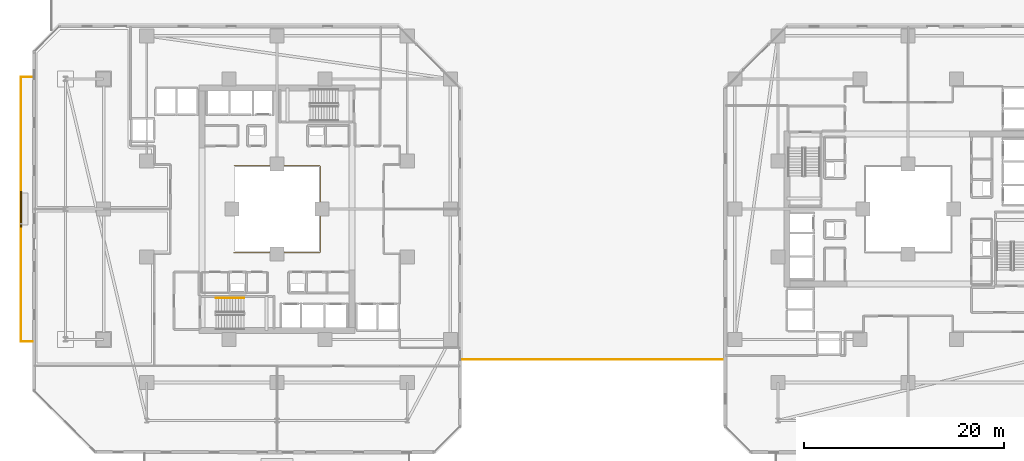
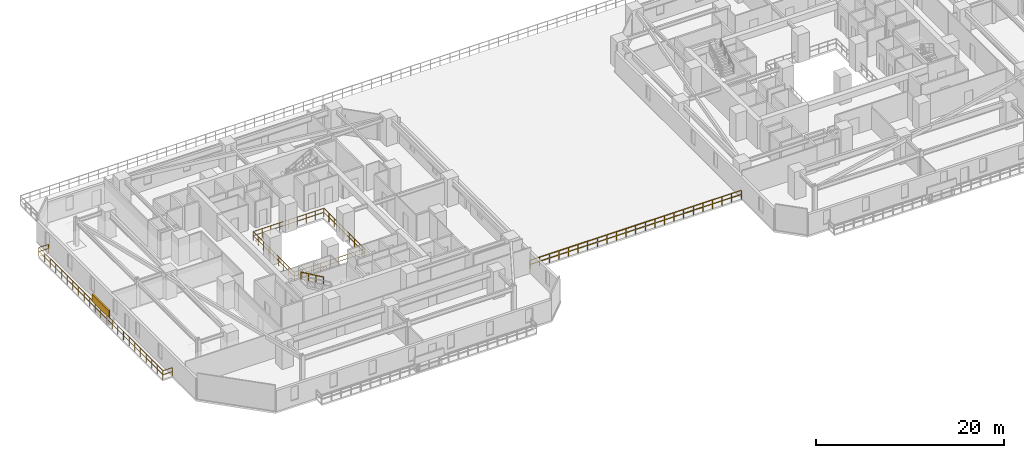
# One storey, part 30 of 34: 4 railings, 1 shading device.
"""IFC4 building model written with IfcOpenShell, lengths in metres."""

from ifc_helpers import new_model, si_unit, direction, frame, origin, origin_2d, place, context, subcontext, project, spatial, rectangle, extrude, material, type_object, element, save


model = new_model("IFC4")

# Units and contexts
model_context = context("Model", 3, precision=1e-05, world=origin(), true_north=direction((0.0, 1.0)))
body_context = subcontext(model_context, "Body", "Model", "MODEL_VIEW")
ifc_project = project(units=[si_unit("LENGTHUNIT", "METRE"), si_unit("AREAUNIT", "SQUARE_METRE"), si_unit("VOLUMEUNIT", "CUBIC_METRE"), si_unit("PLANEANGLEUNIT", "RADIAN"), si_unit("MASSUNIT", "GRAM", prefix="KILO")], contexts=[model_context])

# Site, building, storey
site_placement = place(None, origin())
site = spatial("IfcSite", under=ifc_project, at=site_placement, CompositionType="ELEMENT")
building_placement = place(site_placement, origin())
building = spatial("IfcBuilding", under=site, at=building_placement, Name="Thornwick Lancets Civic Towers", CompositionType="ELEMENT")
storey_placement = place(building_placement, frame((0.0, 0.0, 27.89990234375)))
storey = spatial("IfcBuildingStorey", under=building, at=storey_placement, Name="L06", CompositionType="ELEMENT", Elevation=27.89990234375)

# Railings
ifc_material_1 = material(Name="Laminated glass and bronze steel S355", Category="steel")
railing_type_1 = type_object("IfcRailingType", Name="RAIL_ATRIUM_GUARD", PredefinedType="BALUSTRADE", material=ifc_material_1)
railing_1_placement = place(storey_placement, frame((21.159912109375, 22.659912109375, 0.0)))
element("IfcRailing", 1, at=railing_1_placement, inside=storey, type_object=railing_type_1, Name="L06 Tower A Central Atrium Guard Balustrade", PredefinedType="BALUSTRADE", context=body_context, shape_type="SweptSolid", body=[
    extrude(rectangle(XDim=0.048095703125, YDim=0.048095703125, at=origin_2d()), frame((0.0, 0.0, 1.1259765625), z_axis=(1.0, 0.0, 0.0), x_axis=(0.0, 1.0, 0.0)), (0.0, 0.0, 1.0), 8.64892578125),
    extrude(rectangle(XDim=0.0419921875, YDim=0.0419921875, at=origin_2d()), frame((0.03759765625, 0.0, 0.597900390625), z_axis=(1.0, 0.0, 0.0), x_axis=(0.0, 1.0, 0.0)), (0.0, 0.0, 1.0), 1.010009765625),
    extrude(rectangle(XDim=0.0419921875, YDim=0.0419921875, at=origin_2d()), frame((1.12255859375, 0.0, 0.597900390625), z_axis=(1.0, 0.0, 0.0), x_axis=(0.0, 1.0, 0.0)), (0.0, 0.0, 1.0), 1.010009765625),
    extrude(rectangle(XDim=0.0419921875, YDim=0.0419921875, at=origin_2d()), frame((2.20751953125, 0.0, 0.597900390625), z_axis=(1.0, 0.0, 0.0), x_axis=(0.0, 1.0, 0.0)), (0.0, 0.0, 1.0), 1.010009765625),
    extrude(rectangle(XDim=0.0419921875, YDim=0.0419921875, at=origin_2d()), frame((3.29248046875, 0.0, 0.597900390625), z_axis=(1.0, 0.0, 0.0), x_axis=(0.0, 1.0, 0.0)), (0.0, 0.0, 1.0), 1.010009765625),
    extrude(rectangle(XDim=0.0419921875, YDim=0.0419921875, at=origin_2d()), frame((4.377685546875, 0.0, 0.597900390625), z_axis=(1.0, 0.0, 0.0), x_axis=(0.0, 1.0, 0.0)), (0.0, 0.0, 1.0), 1.010009765625),
    extrude(rectangle(XDim=0.0419921875, YDim=0.0419921875, at=origin_2d()), frame((5.462646484375, 0.0, 0.597900390625), z_axis=(1.0, 0.0, 0.0), x_axis=(0.0, 1.0, 0.0)), (0.0, 0.0, 1.0), 1.010009765625),
    extrude(rectangle(XDim=0.0419921875, YDim=0.0419921875, at=origin_2d()), frame((6.547607421875, 0.0, 0.597900390625), z_axis=(1.0, 0.0, 0.0), x_axis=(0.0, 1.0, 0.0)), (0.0, 0.0, 1.0), 1.010009765625),
    extrude(rectangle(XDim=0.0419921875, YDim=0.0419921875, at=origin_2d()), frame((7.632568359375, 0.0, 0.597900390625), z_axis=(1.0, 0.0, 0.0), x_axis=(0.0, 1.0, 0.0)), (0.0, 0.0, 1.0), 1.010009765625),
    extrude(rectangle(XDim=0.048095703125, YDim=0.048095703125, at=origin_2d()), frame((8.68017578125, 0.03125, 1.1259765625), z_axis=(0.0, 1.0, 0.0), x_axis=(-1.0, 0.0, 0.0)), (0.0, 0.0, 1.0), 8.61767578125),
    extrude(rectangle(XDim=0.0419921875, YDim=0.0419921875, at=origin_2d()), frame((8.68017578125, 0.03759765625, 0.597900390625), z_axis=(0.0, 1.0, 0.0), x_axis=(-1.0, 0.0, 0.0)), (0.0, 0.0, 1.0), 1.010009765625),
    extrude(rectangle(XDim=0.0419921875, YDim=0.0419921875, at=origin_2d()), frame((8.68017578125, 1.12255859375, 0.597900390625), z_axis=(0.0, 1.0, 0.0), x_axis=(-1.0, 0.0, 0.0)), (0.0, 0.0, 1.0), 1.010009765625),
    extrude(rectangle(XDim=0.0419921875, YDim=0.0419921875, at=origin_2d()), frame((8.68017578125, 2.20751953125, 0.597900390625), z_axis=(0.0, 1.0, 0.0), x_axis=(-1.0, 0.0, 0.0)), (0.0, 0.0, 1.0), 1.010009765625),
    extrude(rectangle(XDim=0.0419921875, YDim=0.0419921875, at=origin_2d()), frame((8.68017578125, 3.29248046875, 0.597900390625), z_axis=(0.0, 1.0, 0.0), x_axis=(-1.0, 0.0, 0.0)), (0.0, 0.0, 1.0), 1.010009765625),
    extrude(rectangle(XDim=0.0419921875, YDim=0.0419921875, at=origin_2d()), frame((8.68017578125, 4.377685546875, 0.597900390625), z_axis=(0.0, 1.0, 0.0), x_axis=(-1.0, 0.0, 0.0)), (0.0, 0.0, 1.0), 1.010009765625),
    extrude(rectangle(XDim=0.0419921875, YDim=0.0419921875, at=origin_2d()), frame((8.68017578125, 5.462646484375, 0.597900390625), z_axis=(0.0, 1.0, 0.0), x_axis=(-1.0, 0.0, 0.0)), (0.0, 0.0, 1.0), 1.010009765625),
    extrude(rectangle(XDim=0.0419921875, YDim=0.0419921875, at=origin_2d()), frame((8.68017578125, 6.547607421875, 0.597900390625), z_axis=(0.0, 1.0, 0.0), x_axis=(-1.0, 0.0, 0.0)), (0.0, 0.0, 1.0), 1.010009765625),
    extrude(rectangle(XDim=0.0419921875, YDim=0.0419921875, at=origin_2d()), frame((8.68017578125, 7.632568359375, 0.597900390625), z_axis=(0.0, 1.0, 0.0), x_axis=(-1.0, 0.0, 0.0)), (0.0, 0.0, 1.0), 1.010009765625),
    extrude(rectangle(XDim=0.048095703125, YDim=0.048095703125, at=origin_2d()), frame((8.64892578125, 8.68017578125, 1.1259765625), z_axis=(-1.0, 0.0, 0.0), x_axis=(0.0, -1.0, 0.0)), (0.0, 0.0, 1.0), 8.61767578125),
    extrude(rectangle(XDim=0.0419921875, YDim=0.0419921875, at=origin_2d()), frame((8.642578125, 8.68017578125, 0.597900390625), z_axis=(-1.0, 0.0, 0.0), x_axis=(0.0, -1.0, 0.0)), (0.0, 0.0, 1.0), 1.010009765625),
    extrude(rectangle(XDim=0.0419921875, YDim=0.0419921875, at=origin_2d()), frame((7.5576171875, 8.68017578125, 0.597900390625), z_axis=(-1.0, 0.0, 0.0), x_axis=(0.0, -1.0, 0.0)), (0.0, 0.0, 1.0), 1.010009765625),
    extrude(rectangle(XDim=0.0419921875, YDim=0.0419921875, at=origin_2d()), frame((6.47265625, 8.68017578125, 0.597900390625), z_axis=(-1.0, 0.0, 0.0), x_axis=(0.0, -1.0, 0.0)), (0.0, 0.0, 1.0), 1.010009765625),
    extrude(rectangle(XDim=0.0419921875, YDim=0.0419921875, at=origin_2d()), frame((5.3876953125, 8.68017578125, 0.597900390625), z_axis=(-1.0, 0.0, 0.0), x_axis=(0.0, -1.0, 0.0)), (0.0, 0.0, 1.0), 1.010009765625),
    extrude(rectangle(XDim=0.0419921875, YDim=0.0419921875, at=origin_2d()), frame((4.302490234375, 8.68017578125, 0.597900390625), z_axis=(-1.0, 0.0, 0.0), x_axis=(0.0, -1.0, 0.0)), (0.0, 0.0, 1.0), 1.010009765625),
    extrude(rectangle(XDim=0.0419921875, YDim=0.0419921875, at=origin_2d()), frame((3.217529296875, 8.68017578125, 0.597900390625), z_axis=(-1.0, 0.0, 0.0), x_axis=(0.0, -1.0, 0.0)), (0.0, 0.0, 1.0), 1.010009765625),
    extrude(rectangle(XDim=0.0419921875, YDim=0.0419921875, at=origin_2d()), frame((2.132568359375, 8.68017578125, 0.597900390625), z_axis=(-1.0, 0.0, 0.0), x_axis=(0.0, -1.0, 0.0)), (0.0, 0.0, 1.0), 1.010009765625),
    extrude(rectangle(XDim=0.0419921875, YDim=0.0419921875, at=origin_2d()), frame((1.047607421875, 8.68017578125, 0.597900390625), z_axis=(-1.0, 0.0, 0.0), x_axis=(0.0, -1.0, 0.0)), (0.0, 0.0, 1.0), 1.010009765625),
    extrude(rectangle(XDim=0.048095703125, YDim=0.048095703125, at=origin_2d()), frame((0.0, 8.64892578125, 1.1259765625), z_axis=(0.0, -1.0, 0.0), x_axis=(1.0, 0.0, 0.0)), (0.0, 0.0, 1.0), 8.64892578125),
    extrude(rectangle(XDim=0.0419921875, YDim=0.0419921875, at=origin_2d()), frame((0.0, 8.642578125, 0.597900390625), z_axis=(0.0, -1.0, 0.0), x_axis=(1.0, 0.0, 0.0)), (0.0, 0.0, 1.0), 1.010009765625),
    extrude(rectangle(XDim=0.0419921875, YDim=0.0419921875, at=origin_2d()), frame((0.0, 7.5576171875, 0.597900390625), z_axis=(0.0, -1.0, 0.0), x_axis=(1.0, 0.0, 0.0)), (0.0, 0.0, 1.0), 1.010009765625),
    extrude(rectangle(XDim=0.0419921875, YDim=0.0419921875, at=origin_2d()), frame((0.0, 6.47265625, 0.597900390625), z_axis=(0.0, -1.0, 0.0), x_axis=(1.0, 0.0, 0.0)), (0.0, 0.0, 1.0), 1.010009765625),
    extrude(rectangle(XDim=0.0419921875, YDim=0.0419921875, at=origin_2d()), frame((0.0, 5.3876953125, 0.597900390625), z_axis=(0.0, -1.0, 0.0), x_axis=(1.0, 0.0, 0.0)), (0.0, 0.0, 1.0), 1.010009765625),
    extrude(rectangle(XDim=0.0419921875, YDim=0.0419921875, at=origin_2d()), frame((0.0, 4.302490234375, 0.597900390625), z_axis=(0.0, -1.0, 0.0), x_axis=(1.0, 0.0, 0.0)), (0.0, 0.0, 1.0), 1.010009765625),
    extrude(rectangle(XDim=0.0419921875, YDim=0.0419921875, at=origin_2d()), frame((0.0, 3.217529296875, 0.597900390625), z_axis=(0.0, -1.0, 0.0), x_axis=(1.0, 0.0, 0.0)), (0.0, 0.0, 1.0), 1.010009765625),
    extrude(rectangle(XDim=0.0419921875, YDim=0.0419921875, at=origin_2d()), frame((0.0, 2.132568359375, 0.597900390625), z_axis=(0.0, -1.0, 0.0), x_axis=(1.0, 0.0, 0.0)), (0.0, 0.0, 1.0), 1.010009765625),
    extrude(rectangle(XDim=0.0419921875, YDim=0.0419921875, at=origin_2d()), frame((0.0, 1.047607421875, 0.597900390625), z_axis=(0.0, -1.0, 0.0), x_axis=(1.0, 0.0, 0.0)), (0.0, 0.0, 1.0), 1.010009765625),
    extrude(rectangle(XDim=0.0419921875, YDim=0.0419921875, at=origin_2d()), origin(), (0.0, 0.0, 1.0), 1.095703125),
    extrude(rectangle(XDim=0.0419921875, YDim=0.0419921875, at=origin_2d()), frame((1.0849609375, 0.0, 0.0)), (0.0, 0.0, 1.0), 1.095703125),
    extrude(rectangle(XDim=0.0419921875, YDim=0.0419921875, at=origin_2d()), frame((2.169921875, 0.0, 0.0)), (0.0, 0.0, 1.0), 1.095703125),
    extrude(rectangle(XDim=0.0419921875, YDim=0.0419921875, at=origin_2d()), frame((3.255126953125, 0.0, 0.0)), (0.0, 0.0, 1.0), 1.095703125),
    extrude(rectangle(XDim=0.0419921875, YDim=0.0419921875, at=origin_2d()), frame((4.340087890625, 0.0, 0.0)), (0.0, 0.0, 1.0), 1.095703125),
    extrude(rectangle(XDim=0.0419921875, YDim=0.0419921875, at=origin_2d()), frame((5.425048828125, 0.0, 0.0)), (0.0, 0.0, 1.0), 1.095703125),
    extrude(rectangle(XDim=0.0419921875, YDim=0.0419921875, at=origin_2d()), frame((6.51025390625, 0.0, 0.0)), (0.0, 0.0, 1.0), 1.095703125),
    extrude(rectangle(XDim=0.0419921875, YDim=0.0419921875, at=origin_2d()), frame((7.59521484375, 0.0, 0.0)), (0.0, 0.0, 1.0), 1.095703125),
    extrude(rectangle(XDim=0.0419921875, YDim=0.0419921875, at=origin_2d()), frame((8.68017578125, 0.0, 0.0)), (0.0, 0.0, 1.0), 1.095703125),
    extrude(rectangle(XDim=0.0419921875, YDim=0.0419921875, at=origin_2d()), frame((8.68017578125, 1.0849609375, 0.0)), (0.0, 0.0, 1.0), 1.095703125),
    extrude(rectangle(XDim=0.0419921875, YDim=0.0419921875, at=origin_2d()), frame((8.68017578125, 2.169921875, 0.0)), (0.0, 0.0, 1.0), 1.095703125),
    extrude(rectangle(XDim=0.0419921875, YDim=0.0419921875, at=origin_2d()), frame((8.68017578125, 3.255126953125, 0.0)), (0.0, 0.0, 1.0), 1.095703125),
    extrude(rectangle(XDim=0.0419921875, YDim=0.0419921875, at=origin_2d()), frame((8.68017578125, 4.340087890625, 0.0)), (0.0, 0.0, 1.0), 1.095703125),
    extrude(rectangle(XDim=0.0419921875, YDim=0.0419921875, at=origin_2d()), frame((8.68017578125, 5.425048828125, 0.0)), (0.0, 0.0, 1.0), 1.095703125),
    extrude(rectangle(XDim=0.0419921875, YDim=0.0419921875, at=origin_2d()), frame((8.68017578125, 6.51025390625, 0.0)), (0.0, 0.0, 1.0), 1.095703125),
    extrude(rectangle(XDim=0.0419921875, YDim=0.0419921875, at=origin_2d()), frame((8.68017578125, 7.59521484375, 0.0)), (0.0, 0.0, 1.0), 1.095703125),
    extrude(rectangle(XDim=0.0419921875, YDim=0.0419921875, at=origin_2d()), frame((8.68017578125, 8.68017578125, 0.0)), (0.0, 0.0, 1.0), 1.095703125),
    extrude(rectangle(XDim=0.0419921875, YDim=0.0419921875, at=origin_2d()), frame((7.59521484375, 8.68017578125, 0.0)), (0.0, 0.0, 1.0), 1.095703125),
    extrude(rectangle(XDim=0.0419921875, YDim=0.0419921875, at=origin_2d()), frame((6.51025390625, 8.68017578125, 0.0)), (0.0, 0.0, 1.0), 1.095703125),
    extrude(rectangle(XDim=0.0419921875, YDim=0.0419921875, at=origin_2d()), frame((5.425048828125, 8.68017578125, 0.0)), (0.0, 0.0, 1.0), 1.095703125),
    extrude(rectangle(XDim=0.0419921875, YDim=0.0419921875, at=origin_2d()), frame((4.340087890625, 8.68017578125, 0.0)), (0.0, 0.0, 1.0), 1.095703125),
    extrude(rectangle(XDim=0.0419921875, YDim=0.0419921875, at=origin_2d()), frame((3.255126953125, 8.68017578125, 0.0)), (0.0, 0.0, 1.0), 1.095703125),
    extrude(rectangle(XDim=0.0419921875, YDim=0.0419921875, at=origin_2d()), frame((2.169921875, 8.68017578125, 0.0)), (0.0, 0.0, 1.0), 1.095703125),
    extrude(rectangle(XDim=0.0419921875, YDim=0.0419921875, at=origin_2d()), frame((1.0849609375, 8.68017578125, 0.0)), (0.0, 0.0, 1.0), 1.095703125),
    extrude(rectangle(XDim=0.0419921875, YDim=0.0419921875, at=origin_2d()), frame((0.0, 8.68017578125, 0.0)), (0.0, 0.0, 1.0), 1.095703125),
    extrude(rectangle(XDim=0.0419921875, YDim=0.0419921875, at=origin_2d()), frame((0.0, 7.59521484375, 0.0)), (0.0, 0.0, 1.0), 1.095703125),
    extrude(rectangle(XDim=0.0419921875, YDim=0.0419921875, at=origin_2d()), frame((0.0, 6.51025390625, 0.0)), (0.0, 0.0, 1.0), 1.095703125),
    extrude(rectangle(XDim=0.0419921875, YDim=0.0419921875, at=origin_2d()), frame((0.0, 5.425048828125, 0.0)), (0.0, 0.0, 1.0), 1.095703125),
    extrude(rectangle(XDim=0.0419921875, YDim=0.0419921875, at=origin_2d()), frame((0.0, 4.340087890625, 0.0)), (0.0, 0.0, 1.0), 1.095703125),
    extrude(rectangle(XDim=0.0419921875, YDim=0.0419921875, at=origin_2d()), frame((0.0, 3.255126953125, 0.0)), (0.0, 0.0, 1.0), 1.095703125),
    extrude(rectangle(XDim=0.0419921875, YDim=0.0419921875, at=origin_2d()), frame((0.0, 2.169921875, 0.0)), (0.0, 0.0, 1.0), 1.095703125),
    extrude(rectangle(XDim=0.0419921875, YDim=0.0419921875, at=origin_2d()), frame((0.0, 1.0849609375, 0.0)), (0.0, 0.0, 1.0), 1.095703125),
])
ifc_material_2 = material(Name="Brushed stainless steel S355", Category="steel")
railing_type_2 = type_object("IfcRailingType", Name="RAIL_HANDRAIL", PredefinedType="HANDRAIL", material=ifc_material_2)
railing_2_placement = place(storey_placement, frame((22.199951171875, 18.14990234375, 1.963623046875)))
element("IfcRailing", 2, at=railing_2_placement, inside=storey, type_object=railing_type_2, Name="L06 ST-A1 stair handrail 2", PredefinedType="HANDRAIL", context=body_context, shape_type="SweptSolid", body=[
    extrude(rectangle(XDim=0.048095703125, YDim=0.048095703125, at=origin_2d()), frame((0.0, 0.0, 0.8857421875), z_axis=(-0.863360870873, 0.0, 0.504586966384), x_axis=(0.0, -1.0, 0.0)), (0.0, 0.0, 1.0), 3.2431640625),
    extrude(rectangle(XDim=0.0419921875, YDim=0.0419921875, at=origin_2d()), origin(), (0.0, 0.0, 1.0), 0.855712890625),
    extrude(rectangle(XDim=0.0419921875, YDim=0.0419921875, at=origin_2d()), frame((-0.933349609375, 0.0, 0.54541015625)), (0.0, 0.0, 1.0), 0.855712890625),
    extrude(rectangle(XDim=0.0419921875, YDim=0.0419921875, at=origin_2d()), frame((-1.86669921875, 0.0, 1.091064453125)), (0.0, 0.0, 1.0), 0.855712890625),
    extrude(rectangle(XDim=0.0419921875, YDim=0.0419921875, at=origin_2d()), frame((-2.800048828125, 0.0, 1.636474609375)), (0.0, 0.0, 1.0), 0.855712890625),
])
ifc_material_3 = material(Name="Terracotta-capped laminated glass balustrade S355", Category="masonry")
railing_type_3 = type_object("IfcRailingType", Name="RAIL_TERR_GUARD", PredefinedType="GUARDRAIL", material=ifc_material_3)
railing_3_placement = place(storey_placement, frame((1.10009765625, 13.800048828125, 0.0)))
element("IfcRailing", 3, at=railing_3_placement, inside=storey, type_object=railing_type_3, Name="L06 Tower A Balcony Guard W", PredefinedType="GUARDRAIL", context=body_context, shape_type="SweptSolid", body=[
    extrude(rectangle(XDim=0.048095703125, YDim=0.048095703125, at=origin_2d()), frame((0.0, 0.0, 1.1259765625), z_axis=(-1.0, 0.0, 0.0), x_axis=(0.0, -1.0, 0.0)), (0.0, 0.0, 1.0), 1.138916015625),
    extrude(rectangle(XDim=0.0419921875, YDim=0.0419921875, at=origin_2d()), frame((-0.03759765625, 0.0, 0.597900390625), z_axis=(-1.0, 0.0, 0.0), x_axis=(0.0, -1.0, 0.0)), (0.0, 0.0, 1.0), 1.09521484375),
    extrude(rectangle(XDim=0.048095703125, YDim=0.048095703125, at=origin_2d()), frame((-1.170166015625, 0.03125, 1.1259765625), z_axis=(0.0, 1.0, 0.0), x_axis=(-1.0, 0.0, 0.0)), (0.0, 0.0, 1.0), 26.33740234375),
    extrude(rectangle(XDim=0.0419921875, YDim=0.0419921875, at=origin_2d()), frame((-1.170166015625, 0.03759765625, 0.597900390625), z_axis=(0.0, 1.0, 0.0), x_axis=(-1.0, 0.0, 0.0)), (0.0, 0.0, 1.0), 1.125),
    extrude(rectangle(XDim=0.0419921875, YDim=0.0419921875, at=origin_2d()), frame((-1.170166015625, 1.237548828125, 0.597900390625), z_axis=(0.0, 1.0, 0.0), x_axis=(-1.0, 0.0, 0.0)), (0.0, 0.0, 1.0), 1.125),
    extrude(rectangle(XDim=0.0419921875, YDim=0.0419921875, at=origin_2d()), frame((-1.170166015625, 2.4375, 0.597900390625), z_axis=(0.0, 1.0, 0.0), x_axis=(-1.0, 0.0, 0.0)), (0.0, 0.0, 1.0), 1.125),
    extrude(rectangle(XDim=0.0419921875, YDim=0.0419921875, at=origin_2d()), frame((-1.170166015625, 3.637451171875, 0.597900390625), z_axis=(0.0, 1.0, 0.0), x_axis=(-1.0, 0.0, 0.0)), (0.0, 0.0, 1.0), 1.125),
    extrude(rectangle(XDim=0.0419921875, YDim=0.0419921875, at=origin_2d()), frame((-1.170166015625, 4.83740234375, 0.597900390625), z_axis=(0.0, 1.0, 0.0), x_axis=(-1.0, 0.0, 0.0)), (0.0, 0.0, 1.0), 1.125),
    extrude(rectangle(XDim=0.0419921875, YDim=0.0419921875, at=origin_2d()), frame((-1.170166015625, 6.037353515625, 0.597900390625), z_axis=(0.0, 1.0, 0.0), x_axis=(-1.0, 0.0, 0.0)), (0.0, 0.0, 1.0), 1.125),
    extrude(rectangle(XDim=0.0419921875, YDim=0.0419921875, at=origin_2d()), frame((-1.170166015625, 7.237548828125, 0.597900390625), z_axis=(0.0, 1.0, 0.0), x_axis=(-1.0, 0.0, 0.0)), (0.0, 0.0, 1.0), 1.125),
    extrude(rectangle(XDim=0.0419921875, YDim=0.0419921875, at=origin_2d()), frame((-1.170166015625, 8.4375, 0.597900390625), z_axis=(0.0, 1.0, 0.0), x_axis=(-1.0, 0.0, 0.0)), (0.0, 0.0, 1.0), 1.125),
    extrude(rectangle(XDim=0.0419921875, YDim=0.0419921875, at=origin_2d()), frame((-1.170166015625, 9.637451171875, 0.597900390625), z_axis=(0.0, 1.0, 0.0), x_axis=(-1.0, 0.0, 0.0)), (0.0, 0.0, 1.0), 1.125),
    extrude(rectangle(XDim=0.0419921875, YDim=0.0419921875, at=origin_2d()), frame((-1.170166015625, 10.83740234375, 0.597900390625), z_axis=(0.0, 1.0, 0.0), x_axis=(-1.0, 0.0, 0.0)), (0.0, 0.0, 1.0), 1.125),
    extrude(rectangle(XDim=0.0419921875, YDim=0.0419921875, at=origin_2d()), frame((-1.170166015625, 12.037353515625, 0.597900390625), z_axis=(0.0, 1.0, 0.0), x_axis=(-1.0, 0.0, 0.0)), (0.0, 0.0, 1.0), 1.125),
    extrude(rectangle(XDim=0.0419921875, YDim=0.0419921875, at=origin_2d()), frame((-1.170166015625, 13.237548828125, 0.597900390625), z_axis=(0.0, 1.0, 0.0), x_axis=(-1.0, 0.0, 0.0)), (0.0, 0.0, 1.0), 1.125),
    extrude(rectangle(XDim=0.0419921875, YDim=0.0419921875, at=origin_2d()), frame((-1.170166015625, 14.4375, 0.597900390625), z_axis=(0.0, 1.0, 0.0), x_axis=(-1.0, 0.0, 0.0)), (0.0, 0.0, 1.0), 1.125),
    extrude(rectangle(XDim=0.0419921875, YDim=0.0419921875, at=origin_2d()), frame((-1.170166015625, 15.637451171875, 0.597900390625), z_axis=(0.0, 1.0, 0.0), x_axis=(-1.0, 0.0, 0.0)), (0.0, 0.0, 1.0), 1.125),
    extrude(rectangle(XDim=0.0419921875, YDim=0.0419921875, at=origin_2d()), frame((-1.170166015625, 16.83740234375, 0.597900390625), z_axis=(0.0, 1.0, 0.0), x_axis=(-1.0, 0.0, 0.0)), (0.0, 0.0, 1.0), 1.125),
    extrude(rectangle(XDim=0.0419921875, YDim=0.0419921875, at=origin_2d()), frame((-1.170166015625, 18.037353515625, 0.597900390625), z_axis=(0.0, 1.0, 0.0), x_axis=(-1.0, 0.0, 0.0)), (0.0, 0.0, 1.0), 1.125),
    extrude(rectangle(XDim=0.0419921875, YDim=0.0419921875, at=origin_2d()), frame((-1.170166015625, 19.2373046875, 0.597900390625), z_axis=(0.0, 1.0, 0.0), x_axis=(-1.0, 0.0, 0.0)), (0.0, 0.0, 1.0), 1.125),
    extrude(rectangle(XDim=0.0419921875, YDim=0.0419921875, at=origin_2d()), frame((-1.170166015625, 20.4375, 0.597900390625), z_axis=(0.0, 1.0, 0.0), x_axis=(-1.0, 0.0, 0.0)), (0.0, 0.0, 1.0), 1.125),
    extrude(rectangle(XDim=0.0419921875, YDim=0.0419921875, at=origin_2d()), frame((-1.170166015625, 21.637451171875, 0.597900390625), z_axis=(0.0, 1.0, 0.0), x_axis=(-1.0, 0.0, 0.0)), (0.0, 0.0, 1.0), 1.125),
    extrude(rectangle(XDim=0.0419921875, YDim=0.0419921875, at=origin_2d()), frame((-1.170166015625, 22.83740234375, 0.597900390625), z_axis=(0.0, 1.0, 0.0), x_axis=(-1.0, 0.0, 0.0)), (0.0, 0.0, 1.0), 1.125),
    extrude(rectangle(XDim=0.0419921875, YDim=0.0419921875, at=origin_2d()), frame((-1.170166015625, 24.037353515625, 0.597900390625), z_axis=(0.0, 1.0, 0.0), x_axis=(-1.0, 0.0, 0.0)), (0.0, 0.0, 1.0), 1.125),
    extrude(rectangle(XDim=0.0419921875, YDim=0.0419921875, at=origin_2d()), frame((-1.170166015625, 25.2373046875, 0.597900390625), z_axis=(0.0, 1.0, 0.0), x_axis=(-1.0, 0.0, 0.0)), (0.0, 0.0, 1.0), 1.125),
    extrude(rectangle(XDim=0.048095703125, YDim=0.048095703125, at=origin_2d()), frame((-1.138916015625, 26.39990234375, 1.1259765625), z_axis=(1.0, 0.0, 0.0), x_axis=(0.0, 1.0, 0.0)), (0.0, 0.0, 1.0), 1.138916015625),
    extrude(rectangle(XDim=0.0419921875, YDim=0.0419921875, at=origin_2d()), frame((-1.132568359375, 26.39990234375, 0.597900390625), z_axis=(1.0, 0.0, 0.0), x_axis=(0.0, 1.0, 0.0)), (0.0, 0.0, 1.0), 1.09521484375),
    extrude(rectangle(XDim=0.0419921875, YDim=0.0419921875, at=origin_2d()), origin(), (0.0, 0.0, 1.0), 1.095703125),
    extrude(rectangle(XDim=0.0419921875, YDim=0.0419921875, at=origin_2d()), frame((-1.170166015625, 0.0, 0.0)), (0.0, 0.0, 1.0), 1.095703125),
    extrude(rectangle(XDim=0.0419921875, YDim=0.0419921875, at=origin_2d()), frame((-1.170166015625, 1.199951171875, 0.0)), (0.0, 0.0, 1.0), 1.095703125),
    extrude(rectangle(XDim=0.0419921875, YDim=0.0419921875, at=origin_2d()), frame((-1.170166015625, 2.39990234375, 0.0)), (0.0, 0.0, 1.0), 1.095703125),
    extrude(rectangle(XDim=0.0419921875, YDim=0.0419921875, at=origin_2d()), frame((-1.170166015625, 3.60009765625, 0.0)), (0.0, 0.0, 1.0), 1.095703125),
    extrude(rectangle(XDim=0.0419921875, YDim=0.0419921875, at=origin_2d()), frame((-1.170166015625, 4.800048828125, 0.0)), (0.0, 0.0, 1.0), 1.095703125),
    extrude(rectangle(XDim=0.0419921875, YDim=0.0419921875, at=origin_2d()), frame((-1.170166015625, 6.0, 0.0)), (0.0, 0.0, 1.0), 1.095703125),
    extrude(rectangle(XDim=0.0419921875, YDim=0.0419921875, at=origin_2d()), frame((-1.170166015625, 7.199951171875, 0.0)), (0.0, 0.0, 1.0), 1.095703125),
    extrude(rectangle(XDim=0.0419921875, YDim=0.0419921875, at=origin_2d()), frame((-1.170166015625, 8.39990234375, 0.0)), (0.0, 0.0, 1.0), 1.095703125),
    extrude(rectangle(XDim=0.0419921875, YDim=0.0419921875, at=origin_2d()), frame((-1.170166015625, 9.599853515625, 0.0)), (0.0, 0.0, 1.0), 1.095703125),
    extrude(rectangle(XDim=0.0419921875, YDim=0.0419921875, at=origin_2d()), frame((-1.170166015625, 10.800048828125, 0.0)), (0.0, 0.0, 1.0), 1.095703125),
    extrude(rectangle(XDim=0.0419921875, YDim=0.0419921875, at=origin_2d()), frame((-1.170166015625, 12.0, 0.0)), (0.0, 0.0, 1.0), 1.095703125),
    extrude(rectangle(XDim=0.0419921875, YDim=0.0419921875, at=origin_2d()), frame((-1.170166015625, 13.199951171875, 0.0)), (0.0, 0.0, 1.0), 1.095703125),
    extrude(rectangle(XDim=0.0419921875, YDim=0.0419921875, at=origin_2d()), frame((-1.170166015625, 14.39990234375, 0.0)), (0.0, 0.0, 1.0), 1.095703125),
    extrude(rectangle(XDim=0.0419921875, YDim=0.0419921875, at=origin_2d()), frame((-1.170166015625, 15.599853515625, 0.0)), (0.0, 0.0, 1.0), 1.095703125),
    extrude(rectangle(XDim=0.0419921875, YDim=0.0419921875, at=origin_2d()), frame((-1.170166015625, 16.800048828125, 0.0)), (0.0, 0.0, 1.0), 1.095703125),
    extrude(rectangle(XDim=0.0419921875, YDim=0.0419921875, at=origin_2d()), frame((-1.170166015625, 18.0, 0.0)), (0.0, 0.0, 1.0), 1.095703125),
    extrude(rectangle(XDim=0.0419921875, YDim=0.0419921875, at=origin_2d()), frame((-1.170166015625, 19.199951171875, 0.0)), (0.0, 0.0, 1.0), 1.095703125),
    extrude(rectangle(XDim=0.0419921875, YDim=0.0419921875, at=origin_2d()), frame((-1.170166015625, 20.39990234375, 0.0)), (0.0, 0.0, 1.0), 1.095703125),
    extrude(rectangle(XDim=0.0419921875, YDim=0.0419921875, at=origin_2d()), frame((-1.170166015625, 21.599853515625, 0.0)), (0.0, 0.0, 1.0), 1.095703125),
    extrude(rectangle(XDim=0.0419921875, YDim=0.0419921875, at=origin_2d()), frame((-1.170166015625, 22.7998046875, 0.0)), (0.0, 0.0, 1.0), 1.095703125),
    extrude(rectangle(XDim=0.0419921875, YDim=0.0419921875, at=origin_2d()), frame((-1.170166015625, 24.0, 0.0)), (0.0, 0.0, 1.0), 1.095703125),
    extrude(rectangle(XDim=0.0419921875, YDim=0.0419921875, at=origin_2d()), frame((-1.170166015625, 25.199951171875, 0.0)), (0.0, 0.0, 1.0), 1.095703125),
    extrude(rectangle(XDim=0.0419921875, YDim=0.0419921875, at=origin_2d()), frame((-1.170166015625, 26.39990234375, 0.0)), (0.0, 0.0, 1.0), 1.095703125),
    extrude(rectangle(XDim=0.0419921875, YDim=0.0419921875, at=origin_2d()), frame((0.0, 26.39990234375, 0.0)), (0.0, 0.0, 1.0), 1.095703125),
])
railing_4_placement = place(storey_placement, frame((69.97998046875, 12.0, 0.0)))
element("IfcRailing", 4, at=railing_4_placement, inside=storey, type_object=railing_type_3, Name="L06 Podium Roof Terrace Guard 1 Part 2", PredefinedType="GUARDRAIL", context=body_context, shape_type="SweptSolid", body=[
    extrude(rectangle(XDim=0.048095703125, YDim=0.048095703125, at=origin_2d()), frame((0.0, 0.0, 1.1259765625), z_axis=(-1.0, 0.0, 0.0), x_axis=(0.0, -1.0, 0.0)), (0.0, 0.0, 1.0), 25.9599609375),
    extrude(rectangle(XDim=0.0419921875, YDim=0.0419921875, at=origin_2d()), frame((-0.03759765625, 0.0, 0.597900390625), z_axis=(-1.0, 0.0, 0.0), x_axis=(0.0, -1.0, 0.0)), (0.0, 0.0, 1.0), 1.10498046875),
    extrude(rectangle(XDim=0.0419921875, YDim=0.0419921875, at=origin_2d()), frame((-1.217529296875, 0.0, 0.597900390625), z_axis=(-1.0, 0.0, 0.0), x_axis=(0.0, -1.0, 0.0)), (0.0, 0.0, 1.0), 1.10498046875),
    extrude(rectangle(XDim=0.0419921875, YDim=0.0419921875, at=origin_2d()), frame((-2.3974609375, 0.0, 0.597900390625), z_axis=(-1.0, 0.0, 0.0), x_axis=(0.0, -1.0, 0.0)), (0.0, 0.0, 1.0), 1.10498046875),
    extrude(rectangle(XDim=0.0419921875, YDim=0.0419921875, at=origin_2d()), frame((-3.577392578125, 0.0, 0.597900390625), z_axis=(-1.0, 0.0, 0.0), x_axis=(0.0, -1.0, 0.0)), (0.0, 0.0, 1.0), 1.10498046875),
    extrude(rectangle(XDim=0.0419921875, YDim=0.0419921875, at=origin_2d()), frame((-4.757568359375, 0.0, 0.597900390625), z_axis=(-1.0, 0.0, 0.0), x_axis=(0.0, -1.0, 0.0)), (0.0, 0.0, 1.0), 1.10498046875),
    extrude(rectangle(XDim=0.0419921875, YDim=0.0419921875, at=origin_2d()), frame((-5.9375, 0.0, 0.597900390625), z_axis=(-1.0, 0.0, 0.0), x_axis=(0.0, -1.0, 0.0)), (0.0, 0.0, 1.0), 1.10498046875),
    extrude(rectangle(XDim=0.0419921875, YDim=0.0419921875, at=origin_2d()), frame((-7.117431640625, 0.0, 0.597900390625), z_axis=(-1.0, 0.0, 0.0), x_axis=(0.0, -1.0, 0.0)), (0.0, 0.0, 1.0), 1.10498046875),
    extrude(rectangle(XDim=0.0419921875, YDim=0.0419921875, at=origin_2d()), frame((-8.29736328125, 0.0, 0.597900390625), z_axis=(-1.0, 0.0, 0.0), x_axis=(0.0, -1.0, 0.0)), (0.0, 0.0, 1.0), 1.10498046875),
    extrude(rectangle(XDim=0.0419921875, YDim=0.0419921875, at=origin_2d()), frame((-9.4775390625, 0.0, 0.597900390625), z_axis=(-1.0, 0.0, 0.0), x_axis=(0.0, -1.0, 0.0)), (0.0, 0.0, 1.0), 1.10498046875),
    extrude(rectangle(XDim=0.0419921875, YDim=0.0419921875, at=origin_2d()), frame((-10.657470703125, 0.0, 0.597900390625), z_axis=(-1.0, 0.0, 0.0), x_axis=(0.0, -1.0, 0.0)), (0.0, 0.0, 1.0), 1.10498046875),
    extrude(rectangle(XDim=0.0419921875, YDim=0.0419921875, at=origin_2d()), frame((-11.83740234375, 0.0, 0.597900390625), z_axis=(-1.0, 0.0, 0.0), x_axis=(0.0, -1.0, 0.0)), (0.0, 0.0, 1.0), 1.10498046875),
    extrude(rectangle(XDim=0.0419921875, YDim=0.0419921875, at=origin_2d()), frame((-13.017578125, 0.0, 0.597900390625), z_axis=(-1.0, 0.0, 0.0), x_axis=(0.0, -1.0, 0.0)), (0.0, 0.0, 1.0), 1.10498046875),
    extrude(rectangle(XDim=0.0419921875, YDim=0.0419921875, at=origin_2d()), frame((-14.197509765625, 0.0, 0.597900390625), z_axis=(-1.0, 0.0, 0.0), x_axis=(0.0, -1.0, 0.0)), (0.0, 0.0, 1.0), 1.10498046875),
    extrude(rectangle(XDim=0.0419921875, YDim=0.0419921875, at=origin_2d()), frame((-15.37744140625, 0.0, 0.597900390625), z_axis=(-1.0, 0.0, 0.0), x_axis=(0.0, -1.0, 0.0)), (0.0, 0.0, 1.0), 1.10498046875),
    extrude(rectangle(XDim=0.0419921875, YDim=0.0419921875, at=origin_2d()), frame((-16.557373046875, 0.0, 0.597900390625), z_axis=(-1.0, 0.0, 0.0), x_axis=(0.0, -1.0, 0.0)), (0.0, 0.0, 1.0), 1.10498046875),
    extrude(rectangle(XDim=0.0419921875, YDim=0.0419921875, at=origin_2d()), frame((-17.737548828125, 0.0, 0.597900390625), z_axis=(-1.0, 0.0, 0.0), x_axis=(0.0, -1.0, 0.0)), (0.0, 0.0, 1.0), 1.10498046875),
    extrude(rectangle(XDim=0.0419921875, YDim=0.0419921875, at=origin_2d()), frame((-18.91748046875, 0.0, 0.597900390625), z_axis=(-1.0, 0.0, 0.0), x_axis=(0.0, -1.0, 0.0)), (0.0, 0.0, 1.0), 1.10498046875),
    extrude(rectangle(XDim=0.0419921875, YDim=0.0419921875, at=origin_2d()), frame((-20.097412109375, 0.0, 0.597900390625), z_axis=(-1.0, 0.0, 0.0), x_axis=(0.0, -1.0, 0.0)), (0.0, 0.0, 1.0), 1.10498046875),
    extrude(rectangle(XDim=0.0419921875, YDim=0.0419921875, at=origin_2d()), frame((-21.27734375, 0.0, 0.597900390625), z_axis=(-1.0, 0.0, 0.0), x_axis=(0.0, -1.0, 0.0)), (0.0, 0.0, 1.0), 1.10498046875),
    extrude(rectangle(XDim=0.0419921875, YDim=0.0419921875, at=origin_2d()), frame((-22.45751953125, 0.0, 0.597900390625), z_axis=(-1.0, 0.0, 0.0), x_axis=(0.0, -1.0, 0.0)), (0.0, 0.0, 1.0), 1.10498046875),
    extrude(rectangle(XDim=0.0419921875, YDim=0.0419921875, at=origin_2d()), frame((-23.637451171875, 0.0, 0.597900390625), z_axis=(-1.0, 0.0, 0.0), x_axis=(0.0, -1.0, 0.0)), (0.0, 0.0, 1.0), 1.10498046875),
    extrude(rectangle(XDim=0.0419921875, YDim=0.0419921875, at=origin_2d()), frame((-24.8173828125, 0.0, 0.597900390625), z_axis=(-1.0, 0.0, 0.0), x_axis=(0.0, -1.0, 0.0)), (0.0, 0.0, 1.0), 1.10498046875),
    extrude(rectangle(XDim=0.0419921875, YDim=0.0419921875, at=origin_2d()), origin(), (0.0, 0.0, 1.0), 1.095703125),
    extrude(rectangle(XDim=0.0419921875, YDim=0.0419921875, at=origin_2d()), frame((-1.179931640625, 0.0, 0.0)), (0.0, 0.0, 1.0), 1.095703125),
    extrude(rectangle(XDim=0.0419921875, YDim=0.0419921875, at=origin_2d()), frame((-2.360107421875, 0.0, 0.0)), (0.0, 0.0, 1.0), 1.095703125),
    extrude(rectangle(XDim=0.0419921875, YDim=0.0419921875, at=origin_2d()), frame((-3.5400390625, 0.0, 0.0)), (0.0, 0.0, 1.0), 1.095703125),
    extrude(rectangle(XDim=0.0419921875, YDim=0.0419921875, at=origin_2d()), frame((-4.719970703125, 0.0, 0.0)), (0.0, 0.0, 1.0), 1.095703125),
    extrude(rectangle(XDim=0.0419921875, YDim=0.0419921875, at=origin_2d()), frame((-5.89990234375, 0.0, 0.0)), (0.0, 0.0, 1.0), 1.095703125),
    extrude(rectangle(XDim=0.0419921875, YDim=0.0419921875, at=origin_2d()), frame((-7.080078125, 0.0, 0.0)), (0.0, 0.0, 1.0), 1.095703125),
    extrude(rectangle(XDim=0.0419921875, YDim=0.0419921875, at=origin_2d()), frame((-8.260009765625, 0.0, 0.0)), (0.0, 0.0, 1.0), 1.095703125),
    extrude(rectangle(XDim=0.0419921875, YDim=0.0419921875, at=origin_2d()), frame((-9.43994140625, 0.0, 0.0)), (0.0, 0.0, 1.0), 1.095703125),
    extrude(rectangle(XDim=0.0419921875, YDim=0.0419921875, at=origin_2d()), frame((-10.619873046875, 0.0, 0.0)), (0.0, 0.0, 1.0), 1.095703125),
    extrude(rectangle(XDim=0.0419921875, YDim=0.0419921875, at=origin_2d()), frame((-11.800048828125, 0.0, 0.0)), (0.0, 0.0, 1.0), 1.095703125),
    extrude(rectangle(XDim=0.0419921875, YDim=0.0419921875, at=origin_2d()), frame((-12.97998046875, 0.0, 0.0)), (0.0, 0.0, 1.0), 1.095703125),
    extrude(rectangle(XDim=0.0419921875, YDim=0.0419921875, at=origin_2d()), frame((-14.159912109375, 0.0, 0.0)), (0.0, 0.0, 1.0), 1.095703125),
    extrude(rectangle(XDim=0.0419921875, YDim=0.0419921875, at=origin_2d()), frame((-15.340087890625, 0.0, 0.0)), (0.0, 0.0, 1.0), 1.095703125),
    extrude(rectangle(XDim=0.0419921875, YDim=0.0419921875, at=origin_2d()), frame((-16.52001953125, 0.0, 0.0)), (0.0, 0.0, 1.0), 1.095703125),
    extrude(rectangle(XDim=0.0419921875, YDim=0.0419921875, at=origin_2d()), frame((-17.699951171875, 0.0, 0.0)), (0.0, 0.0, 1.0), 1.095703125),
    extrude(rectangle(XDim=0.0419921875, YDim=0.0419921875, at=origin_2d()), frame((-18.8798828125, 0.0, 0.0)), (0.0, 0.0, 1.0), 1.095703125),
    extrude(rectangle(XDim=0.0419921875, YDim=0.0419921875, at=origin_2d()), frame((-20.06005859375, 0.0, 0.0)), (0.0, 0.0, 1.0), 1.095703125),
    extrude(rectangle(XDim=0.0419921875, YDim=0.0419921875, at=origin_2d()), frame((-21.239990234375, 0.0, 0.0)), (0.0, 0.0, 1.0), 1.095703125),
    extrude(rectangle(XDim=0.0419921875, YDim=0.0419921875, at=origin_2d()), frame((-22.419921875, 0.0, 0.0)), (0.0, 0.0, 1.0), 1.095703125),
    extrude(rectangle(XDim=0.0419921875, YDim=0.0419921875, at=origin_2d()), frame((-23.599853515625, 0.0, 0.0)), (0.0, 0.0, 1.0), 1.095703125),
    extrude(rectangle(XDim=0.0419921875, YDim=0.0419921875, at=origin_2d()), frame((-24.780029296875, 0.0, 0.0)), (0.0, 0.0, 1.0), 1.095703125),
    extrude(rectangle(XDim=0.0419921875, YDim=0.0419921875, at=origin_2d()), frame((-25.9599609375, 0.0, 0.0)), (0.0, 0.0, 1.0), 1.095703125),
])

# Shading device
ifc_material_4 = material(Name="Extruded terracotta baguette solar screen", Category="masonry")
shading_device_type = type_object("IfcShadingDeviceType", Name="SHADE_BAGUETTE", PredefinedType="JALOUSIE", material=ifc_material_4)
shading_device_placement = place(storey_placement, frame((-0.06005859375, 27.0, 1.1201171875), z_axis=(0.0, 0.0, 1.0), x_axis=(0.0, 1.0, 0.0)))
element("IfcShadingDevice", 5, at=shading_device_placement, inside=storey, type_object=shading_device_type, Name="L06 Tower A Terracotta Baguette Screen W", PredefinedType="JALOUSIE", context=body_context, shape_type="SweptSolid", body=[
    extrude(rectangle(XDim=3.60009765625, YDim=0.179931640625, at=origin_2d()), origin(), (0.0, 0.0, 1.0), 0.89990234375),
])

save(model, "model.ifc")
